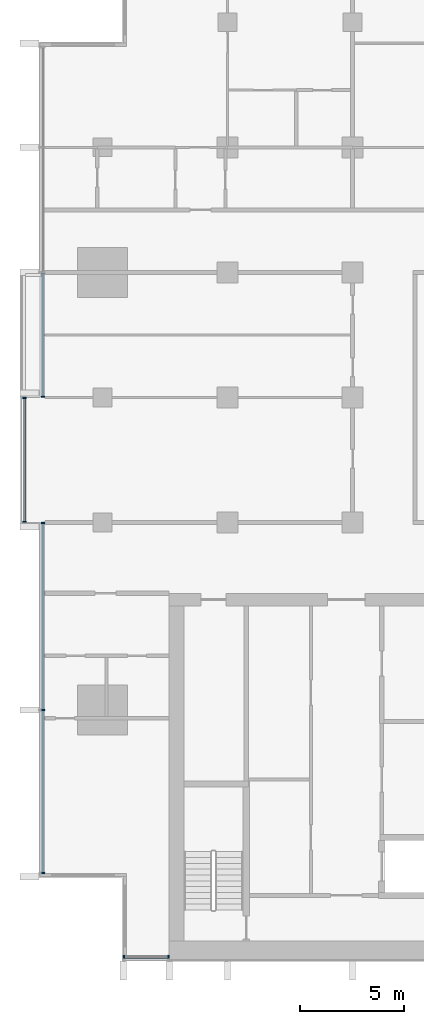
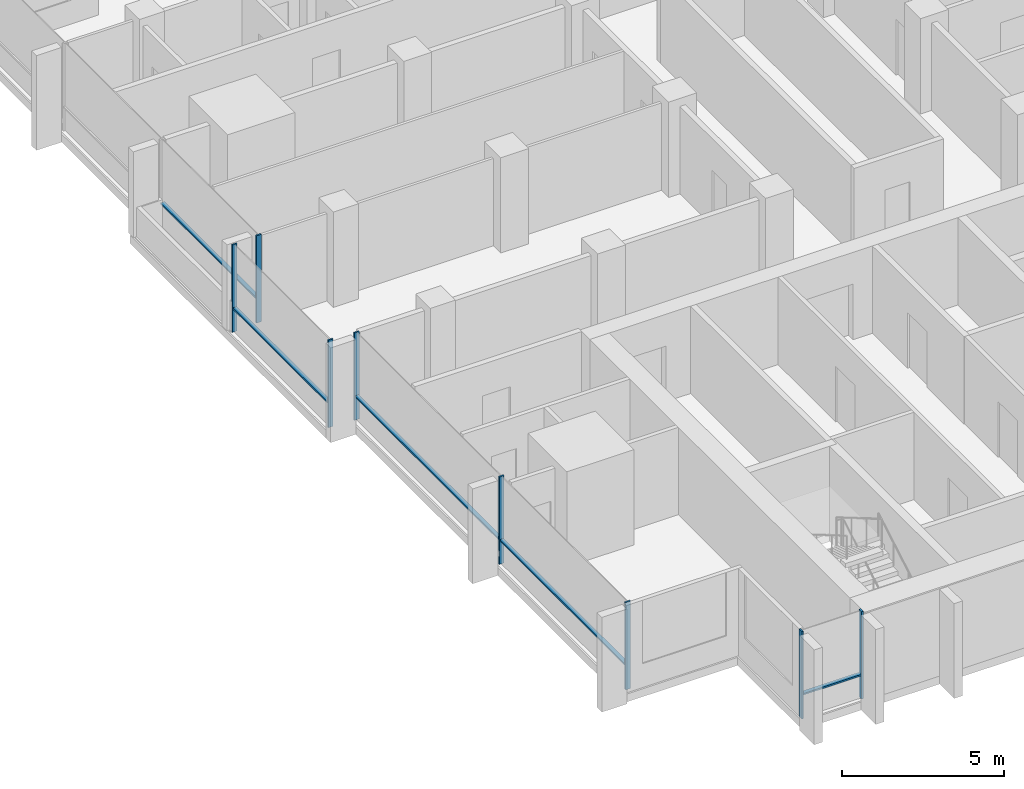
# One storey, part 2 of 16: 13 members, 4 elements without a shape of their own.
"""IFC4 building model written with IfcOpenShell, lengths in metres."""

from ifc_helpers import new_model, si_unit, direction, frame, origin, origin_2d, place, context, subcontext, project, spatial, rectangle, extrude, material, material_profile, profile_set, type_object, element, aggregate, save


model = new_model("IFC4")

# Units and contexts
model_context = context("Model", 3, precision=1e-05, world=origin(), true_north=direction((0.0, 1.0)))
body_context = subcontext(model_context, "Body", "Model", "MODEL_VIEW")
ifc_project = project(units=[si_unit("LENGTHUNIT", "METRE"), si_unit("AREAUNIT", "SQUARE_METRE"), si_unit("VOLUMEUNIT", "CUBIC_METRE"), si_unit("PLANEANGLEUNIT", "RADIAN"), si_unit("MASSUNIT", "GRAM", prefix="KILO")], contexts=[model_context])

# Site, building, storey
site_placement = place(None, origin())
site = spatial("IfcSite", under=ifc_project, at=site_placement, CompositionType="ELEMENT")
building_placement = place(site_placement, origin())
building = spatial("IfcBuilding", under=site, at=building_placement, Name="Finial Court Residences", CompositionType="ELEMENT")
storey_placement = place(building_placement, frame((0.0, 0.0, 156.5)))
storey = spatial("IfcBuildingStorey", under=building, at=storey_placement, Name="L38", CompositionType="ELEMENT", Elevation=156.5)

# Curtain wall, members
ifc_material = material(Name="Bronze anodised aluminium", Category="aluminium")
curtain_wall_type = type_object("IfcCurtainWallType", Name="Unitised curtain wall, upper zones", PredefinedType="NOTDEFINED", material=ifc_material)
curtain_wall_1_placement = place(storey_placement, origin())
curtain_wall_1 = element("IfcCurtainWall", 1, at=curtain_wall_1_placement, inside=storey, type_object=curtain_wall_type, Name="E-L38-CW-S8", PredefinedType="NOTDEFINED")
ifc_material_profile_1 = material_profile(ifc_material, rectangle(XDim=0.175048828125, YDim=0.06005859375, at=origin_2d()), Name="CW2 mullion 60 x 175")
ifc_profile_set_1 = profile_set([ifc_material_profile_1], Name="Bronze anodised aluminium")
member_type_1 = type_object("IfcMemberType", Name="CW2 mullion 60 x 175", PredefinedType="MULLION", material=ifc_profile_set_1)
member_1_placement = place(storey_placement, frame((-15.469970703125, -25.35009765625, 0.0), z_axis=(0.0, 0.0, 1.0), x_axis=(0.0, 1.0, 0.0)))
member_1 = element("IfcMember", 2, at=member_1_placement, type_object=member_type_1, Name="CW2 mullion 1", PredefinedType="MULLION", context=body_context, shape_type="SweptSolid", body=[
    extrude(rectangle(XDim=0.175048828125, YDim=0.06005859375, at=origin_2d()), origin(), (0.0, 0.0, 1.0), 3.300048828125),
])
member_2_placement = place(storey_placement, frame((-13.330078125, -25.35009765625, 0.0), z_axis=(0.0, 0.0, 1.0), x_axis=(0.0, 1.0, 0.0)))
member_2 = element("IfcMember", 3, at=member_2_placement, type_object=member_type_1, Name="CW2 mullion 2", PredefinedType="MULLION", context=body_context, shape_type="SweptSolid", body=[
    extrude(rectangle(XDim=0.175048828125, YDim=0.06005859375, at=origin_2d()), origin(), (0.0, 0.0, 1.0), 3.300048828125),
])

curtain_wall_2_placement = place(storey_placement, origin())
curtain_wall_2 = element("IfcCurtainWall", 4, at=curtain_wall_2_placement, inside=storey, type_object=curtain_wall_type, Name="E-L38-CW-W10", PredefinedType="NOTDEFINED")
member_3_placement = place(storey_placement, frame((-19.35009765625, -21.320068359375, 0.0), z_axis=(0.0, 0.0, 1.0), x_axis=(-1.0, 0.0, 0.0)))
member_3 = element("IfcMember", 5, at=member_3_placement, type_object=member_type_1, Name="CW2 mullion 1", PredefinedType="MULLION", context=body_context, shape_type="SweptSolid", body=[
    extrude(rectangle(XDim=0.175048828125, YDim=0.06005859375, at=origin_2d()), origin(), (0.0, 0.0, 1.0), 3.300048828125),
])
member_4_placement = place(storey_placement, frame((-19.35009765625, -13.5, 0.0), z_axis=(0.0, 0.0, 1.0), x_axis=(-1.0, 0.0, 0.0)))
member_4 = element("IfcMember", 6, at=member_4_placement, type_object=member_type_1, Name="CW2 mullion 2", PredefinedType="MULLION", context=body_context, shape_type="SweptSolid", body=[
    extrude(rectangle(XDim=0.175048828125, YDim=0.06005859375, at=origin_2d()), origin(), (0.0, 0.0, 1.0), 3.300048828125),
])
member_5_placement = place(storey_placement, frame((-19.35009765625, -4.530029296875, 0.0), z_axis=(0.0, 0.0, 1.0), x_axis=(-1.0, 0.0, 0.0)))
member_5 = element("IfcMember", 7, at=member_5_placement, type_object=member_type_1, Name="CW2 mullion 3", PredefinedType="MULLION", context=body_context, shape_type="SweptSolid", body=[
    extrude(rectangle(XDim=0.175048828125, YDim=0.06005859375, at=origin_2d()), origin(), (0.0, 0.0, 1.0), 3.300048828125),
])

curtain_wall_3_placement = place(storey_placement, origin())
curtain_wall_3 = element("IfcCurtainWall", 8, at=curtain_wall_3_placement, inside=storey, type_object=curtain_wall_type, Name="E-L38-CW-W11", PredefinedType="NOTDEFINED")
member_6_placement = place(storey_placement, frame((-20.25, -4.469970703125, 0.0), z_axis=(0.0, 0.0, 1.0), x_axis=(-1.0, 0.0, 0.0)))
member_6 = element("IfcMember", 9, at=member_6_placement, type_object=member_type_1, Name="CW2 mullion 1", PredefinedType="MULLION", context=body_context, shape_type="SweptSolid", body=[
    extrude(rectangle(XDim=0.175048828125, YDim=0.06005859375, at=origin_2d()), origin(), (0.0, 0.0, 1.0), 3.300048828125),
])
member_7_placement = place(storey_placement, frame((-20.25, 1.469970703125, 0.0), z_axis=(0.0, 0.0, 1.0), x_axis=(-1.0, 0.0, 0.0)))
member_7 = element("IfcMember", 10, at=member_7_placement, type_object=member_type_1, Name="CW2 mullion 2", PredefinedType="MULLION", context=body_context, shape_type="SweptSolid", body=[
    extrude(rectangle(XDim=0.175048828125, YDim=0.06005859375, at=origin_2d()), origin(), (0.0, 0.0, 1.0), 3.300048828125),
])

# Curtain wall, member
curtain_wall_4_placement = place(storey_placement, origin())
curtain_wall_4 = element("IfcCurtainWall", 11, at=curtain_wall_4_placement, inside=storey, type_object=curtain_wall_type, Name="E-L38-CW-W12", PredefinedType="NOTDEFINED")
member_8_placement = place(storey_placement, frame((-19.35009765625, 1.530029296875, 0.0), z_axis=(0.0, 0.0, 1.0), x_axis=(-1.0, 0.0, 0.0)))
member_8 = element("IfcMember", 12, at=member_8_placement, type_object=member_type_1, Name="CW2 mullion 1", PredefinedType="MULLION", context=body_context, shape_type="SweptSolid", body=[
    extrude(rectangle(XDim=0.175048828125, YDim=0.06005859375, at=origin_2d()), origin(), (0.0, 0.0, 1.0), 3.300048828125),
])

# Member
ifc_material_profile_2 = material_profile(ifc_material, rectangle(XDim=0.139892578125, YDim=0.06005859375, at=origin_2d()), Name="CW2 transom 60 x 140")
ifc_profile_set_2 = profile_set([ifc_material_profile_2], Name="Bronze anodised aluminium")
member_type_2 = type_object("IfcMemberType", Name="CW2 transom 60 x 140", PredefinedType="USERDEFINED", material=ifc_profile_set_2)
member_9_placement = place(storey_placement, frame((-15.43994140625, -25.35009765625, 0.89990234375), z_axis=(1.0, 0.0, 0.0), x_axis=(0.0, 1.0, 0.0)))
member_9 = element("IfcMember", 13, at=member_9_placement, type_object=member_type_2, Name="CW2 transom 1.1", ObjectType="TRANSOM", PredefinedType="USERDEFINED", context=body_context, shape_type="SweptSolid", body=[
    extrude(rectangle(XDim=0.139892578125, YDim=0.06005859375, at=origin_2d()), origin(), (0.0, 0.0, 1.0), 2.079833984375),
])

aggregate(curtain_wall_1, [member_1, member_2, member_9])

member_10_placement = place(storey_placement, frame((-19.35009765625, -21.2900390625, 0.89990234375), z_axis=(0.0, 1.0, 0.0), x_axis=(-1.0, 0.0, 0.0)))
member_10 = element("IfcMember", 14, at=member_10_placement, type_object=member_type_2, Name="CW2 transom 1.1", ObjectType="TRANSOM", PredefinedType="USERDEFINED", context=body_context, shape_type="SweptSolid", body=[
    extrude(rectangle(XDim=0.139892578125, YDim=0.06005859375, at=origin_2d()), origin(), (0.0, 0.0, 1.0), 7.760009765625),
])

member_11_placement = place(storey_placement, frame((-19.35009765625, -13.469970703125, 0.89990234375), z_axis=(0.0, 1.0, 0.0), x_axis=(-1.0, 0.0, 0.0)))
member_11 = element("IfcMember", 15, at=member_11_placement, type_object=member_type_2, Name="CW2 transom 2.1", ObjectType="TRANSOM", PredefinedType="USERDEFINED", context=body_context, shape_type="SweptSolid", body=[
    extrude(rectangle(XDim=0.139892578125, YDim=0.06005859375, at=origin_2d()), origin(), (0.0, 0.0, 1.0), 8.909912109375),
])

aggregate(curtain_wall_2, [member_3, member_4, member_5, member_10, member_11])

member_12_placement = place(storey_placement, frame((-20.25, -4.43994140625, 0.89990234375), z_axis=(0.0, 1.0, 0.0), x_axis=(-1.0, 0.0, 0.0)))
member_12 = element("IfcMember", 16, at=member_12_placement, type_object=member_type_2, Name="CW2 transom 1.1", ObjectType="TRANSOM", PredefinedType="USERDEFINED", context=body_context, shape_type="SweptSolid", body=[
    extrude(rectangle(XDim=0.139892578125, YDim=0.06005859375, at=origin_2d()), origin(), (0.0, 0.0, 1.0), 5.8798828125),
])

aggregate(curtain_wall_3, [member_6, member_7, member_12])

member_13_placement = place(storey_placement, frame((-19.35009765625, 1.56005859375, 0.89990234375), z_axis=(0.0, 1.0, 0.0), x_axis=(-1.0, 0.0, 0.0)))
member_13 = element("IfcMember", 17, at=member_13_placement, type_object=member_type_2, Name="CW2 transom 1.1", ObjectType="TRANSOM", PredefinedType="USERDEFINED", context=body_context, shape_type="SweptSolid", body=[
    extrude(rectangle(XDim=0.139892578125, YDim=0.06005859375, at=origin_2d()), origin(), (0.0, 0.0, 1.0), 5.909912109375),
])

aggregate(curtain_wall_4, [member_8, member_13])

save(model, "model.ifc")
